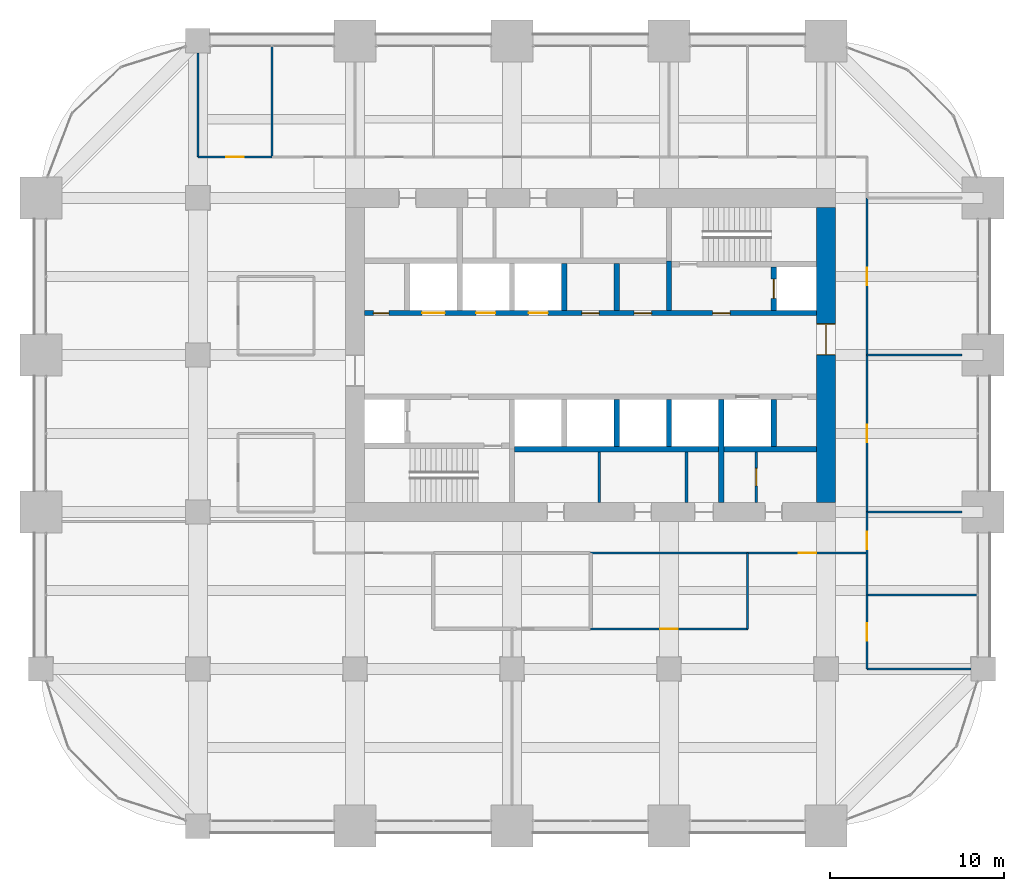
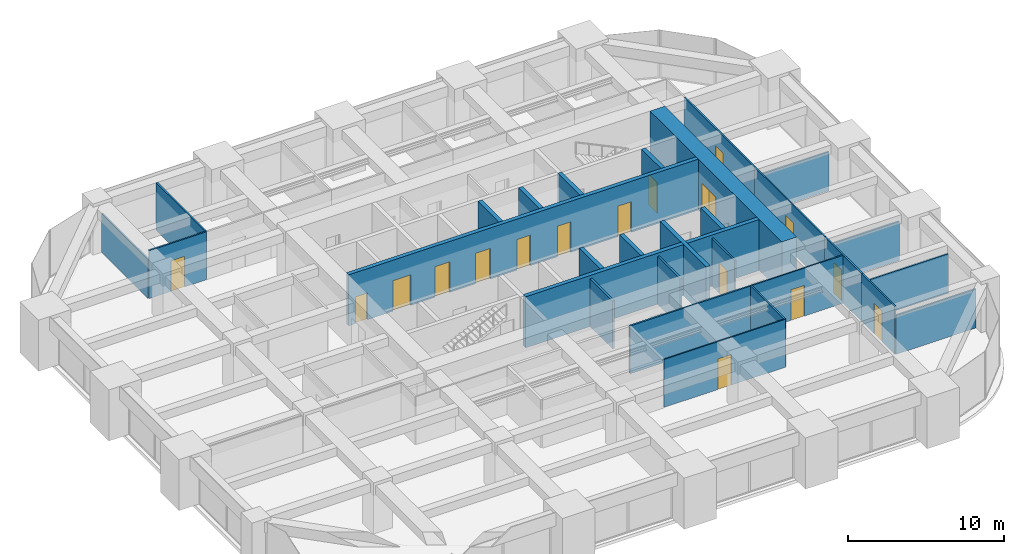
# One storey, part 30 of 32: 29 walls, 17 doors, 17 openings.
"""IFC4 building model written with IfcOpenShell, lengths in metres."""

import ifcopenshell
import ifcopenshell.guid

model = None  # the IFC model being written
_history = None  # IfcOwnerHistory: only IFC2X3 demands one
_inside = {}  # id of a spatial element -> (the spatial element, [elements in it])
_under = {}  # id of a project, library or spatial element -> (it, [spatial elements below it])
_declared = {}  # id of a project -> (the project, [libraries it declares])
_typed = {}  # id of a type object -> (the type object, [elements of that type])
_made_of = {}  # id of a material, layer set ... -> (it, [elements and type objects made of it])


def new_model(schema):
    """Start an empty IFC model of exactly this schema.

    Asked for "IFC4X3", IfcOpenShell would pick the latest addendum, in which some entities
    have other attributes; the version numbers below select the first issue.
    IFC2X3 requires an IfcOwnerHistory on every rooted entity: one is made here for all.
    """
    global model, _history
    if schema == "IFC4X3":
        model = ifcopenshell.file(schema_version=(4, 3, 0, 0))
    else:
        model = ifcopenshell.file(schema=schema)
    _inside.clear()
    _under.clear()
    _declared.clear()
    _typed.clear()
    _made_of.clear()
    _history = None
    if model.schema == "IFC2X3":
        org = make("IfcOrganization", Name="unknown")
        user = make(
            "IfcPersonAndOrganization",
            ThePerson=make("IfcPerson", FamilyName="unknown"),
            TheOrganization=org,
        )
        app = make(
            "IfcApplication",
            ApplicationDeveloper=org,
            Version="unknown",
            ApplicationFullName="unknown",
            ApplicationIdentifier="unknown",
        )
        _history = make(
            "IfcOwnerHistory",
            OwningUser=user,
            OwningApplication=app,
            ChangeAction="ADDED",
            CreationDate=0,
        )
    return model


def make(cls, **values):
    """One entity of the class cls with the attributes given. An attribute that is None is left unset."""
    return model.create_entity(
        cls, **{name: value for name, value in values.items() if value is not None}
    )


def rooted(cls, **values):
    """An entity with a GlobalId (a new one), such as an element, a storey or a relation."""
    return make(cls, GlobalId=ifcopenshell.guid.new(), OwnerHistory=_history, **values)


def si_unit(unit_type, name, prefix=None):
    """IfcSIUnit, for example si_unit("LENGTHUNIT", "METRE", prefix="MILLI")."""
    return make("IfcSIUnit", UnitType=unit_type, Prefix=prefix, Name=name)


def assignment(units):
    """IfcUnitAssignment: the units of a project."""
    return None if units is None else make("IfcUnitAssignment", Units=units)


def point(xyz):
    """IfcCartesianPoint."""
    return None if xyz is None else make("IfcCartesianPoint", Coordinates=xyz)


def direction(xyz):
    """IfcDirection."""
    return None if xyz is None else make("IfcDirection", DirectionRatios=xyz)


def frame(location, z_axis=None, x_axis=None):
    """IfcAxis2Placement3D, a coordinate frame: its origin and axes. An axis left out is left unset."""
    return make(
        "IfcAxis2Placement3D",
        Location=point(location),
        Axis=direction(z_axis),
        RefDirection=direction(x_axis),
    )


def frame_2d(location, x_axis=None):
    """IfcAxis2Placement2D, a coordinate frame in the plane: its origin and x axis."""
    return make(
        "IfcAxis2Placement2D", Location=point(location), RefDirection=direction(x_axis)
    )


def origin():
    """The frame at (0, 0, 0) with its axes left unset."""
    return frame((0.0, 0.0, 0.0))


def place(relative_to, where):
    """IfcLocalPlacement: puts the frame where relative to a parent placement (None: the world)."""
    return make(
        "IfcLocalPlacement", PlacementRelTo=relative_to, RelativePlacement=where
    )


def context(
    kind, dimensions, precision=None, world=None, true_north=None, identifier=None
):
    """IfcGeometricRepresentationContext, for example the 3D "Model" context."""
    return make(
        "IfcGeometricRepresentationContext",
        ContextIdentifier=identifier,
        ContextType=kind,
        CoordinateSpaceDimension=dimensions,
        Precision=precision,
        WorldCoordinateSystem=world,
        TrueNorth=true_north,
    )


def subcontext(parent, identifier, kind, view, scale=None):
    """IfcGeometricRepresentationSubContext, for example "Body" below "Model"."""
    return make(
        "IfcGeometricRepresentationSubContext",
        ContextIdentifier=identifier,
        ContextType=kind,
        ParentContext=parent,
        TargetScale=scale,
        TargetView=view,
    )


def project(units=None, contexts=None):
    """IfcProject with its units and contexts."""
    return rooted(
        "IfcProject",
        Name="project",
        RepresentationContexts=contexts,
        UnitsInContext=assignment(units),
    )


def spatial(cls, under=None, at=None, **own):
    """A site, building, storey or space (cls), placed at a placement, below another one or the project."""
    s = rooted(cls, ObjectPlacement=at, **own)
    if under is not None:
        _under.setdefault(under.id(), (under, []))[1].append(s)
    return s


def profile(cls, at=None, kind="AREA", **sizes):
    """A parametric profile (cls). Its sizes go by their IFC names, for example OverallWidth=200.0."""
    return make(cls, ProfileType=kind, Position=at, **sizes)


def rectangle(**sizes):
    """IfcRectangleProfileDef."""
    return profile("IfcRectangleProfileDef", **sizes)


def extrude(swept, where, along, depth):
    """IfcExtrudedAreaSolid: the profile swept, set in the frame where, extruded along a direction by depth."""
    return make(
        "IfcExtrudedAreaSolid",
        SweptArea=swept,
        Position=where,
        ExtrudedDirection=direction(along),
        Depth=depth,
    )


def shape(context_of_items, identifier, shape_type, items):
    """IfcShapeRepresentation: the items that make up one representation, for example the "Body"."""
    return make(
        "IfcShapeRepresentation",
        ContextOfItems=context_of_items,
        RepresentationIdentifier=identifier,
        RepresentationType=shape_type,
        Items=items,
    )


def material(Name=None, Category=None):
    """IfcMaterial."""
    return make("IfcMaterial", Name=Name, Category=Category)


def layer(
    of_material, thickness, ventilated=None, Name=None, Category=None, Priority=None
):
    """IfcMaterialLayer: one layer of a wall or slab, of a material (None: an air gap)."""
    return make(
        "IfcMaterialLayer",
        Material=of_material,
        LayerThickness=thickness,
        IsVentilated=ventilated,
        Name=Name,
        Category=Category,
        Priority=Priority,
    )


def layer_set(layers, Name=None):
    """IfcMaterialLayerSet."""
    return make("IfcMaterialLayerSet", MaterialLayers=layers, LayerSetName=Name)


def made_of(thing, what):
    """Note that an element or type object is made of a material, layer set ...; save() writes the relation."""
    if what is not None:
        _made_of.setdefault(what.id(), (what, []))[1].append(thing)
    return thing


def type_object(cls, material=None, **own):
    """A type object (cls), such as IfcWallType, which elements share."""
    return made_of(rooted(cls, **own), material)


def element(
    cls,
    number,
    at=None,
    inside=None,
    cuts=None,
    type_object=None,
    material=None,
    context=None,
    identifier="Body",
    shape_type=None,
    held_by="IfcProductDefinitionShape",
    body=None,
    shapes=None,
    **own,
):
    """One element of the class cls, such as IfcWall. Its Tag is "e" and its number.

    at: its placement. inside: the storey or other place that contains it. cuts: it is an
    opening in that element (IfcRelVoidsElement). A single representation is given by context,
    identifier, shape_type and body (its items); several are given by shapes. held_by: the class
    of the entity that holds the representations. save() writes the other relations.
    """
    e = rooted(cls, Tag="e%d" % number, ObjectPlacement=at, **own)
    if body is not None:
        shapes = [shape(context, identifier, shape_type, body)]
    if shapes is not None:
        e.Representation = make(held_by, Representations=shapes)
    if inside is not None:
        _inside.setdefault(inside.id(), (inside, []))[1].append(e)
    if cuts is not None:
        rooted(
            "IfcRelVoidsElement", RelatingBuildingElement=cuts, RelatedOpeningElement=e
        )
    if type_object is not None:
        _typed.setdefault(type_object.id(), (type_object, []))[1].append(e)
    return made_of(e, material)


def fill(opening, filler):
    """IfcRelFillsElement: the door or window that sits in an opening."""
    return rooted(
        "IfcRelFillsElement",
        RelatingOpeningElement=opening,
        RelatedBuildingElement=filler,
    )


def aggregate(whole, parts):
    """IfcRelAggregates: a whole, such as a stair, and the parts it consists of."""
    return rooted("IfcRelAggregates", RelatingObject=whole, RelatedObjects=parts)


def save(model, path):
    """Write the relations noted so far, then the file.

    IfcRelAggregates (storeys below a building ...), IfcRelContainedInSpatialStructure (elements
    in a storey), IfcRelDefinesByType, IfcRelAssociatesMaterial and IfcRelDeclares: one each for
    every whole, place, type object, material and project.
    """
    for whole, parts in _under.values():
        aggregate(whole, parts)
    for where, things in _inside.values():
        rooted(
            "IfcRelContainedInSpatialStructure",
            RelatedElements=things,
            RelatingStructure=where,
        )
    for kind, things in _typed.values():
        rooted("IfcRelDefinesByType", RelatedObjects=things, RelatingType=kind)
    for what, things in _made_of.values():
        rooted("IfcRelAssociatesMaterial", RelatedObjects=things, RelatingMaterial=what)
    for by, libraries in _declared.values():
        rooted("IfcRelDeclares", RelatingContext=by, RelatedDefinitions=libraries)
    model.write(path)


model = new_model("IFC4")

# Units and contexts
model_context = context("Model", 3, precision=1e-05, world=origin(), true_north=direction((0.0, 1.0)))
body_context = subcontext(model_context, "Body", "Model", "MODEL_VIEW")
ifc_project = project(units=[si_unit("LENGTHUNIT", "METRE"), si_unit("AREAUNIT", "SQUARE_METRE"), si_unit("VOLUMEUNIT", "CUBIC_METRE"), si_unit("PLANEANGLEUNIT", "RADIAN"), si_unit("MASSUNIT", "GRAM", prefix="KILO")], contexts=[model_context])

# Site, building, storey
site_placement = place(None, origin())
site = spatial("IfcSite", under=ifc_project, at=site_placement, CompositionType="ELEMENT")
building_placement = place(site_placement, origin())
building = spatial("IfcBuilding", under=site, at=building_placement, Name="Zorevar Civic Tower", CompositionType="ELEMENT")
storey_placement = place(building_placement, frame((0.0, 0.0, 202.199951171875)))
storey = spatial("IfcBuildingStorey", under=building, at=storey_placement, Name="L49", CompositionType="ELEMENT", Elevation=202.199951171875)

# Wall, opening, door
ifc_material_1 = material(Name="Concrete C50/60", Category="concrete")
ifc_layer_1 = layer(ifc_material_1, 1.10009765625)
ifc_layer_set_1 = layer_set([ifc_layer_1], Name="Core wall 1100")
wall_type_1 = type_object("IfcWallType", Name="Core wall 1100", PredefinedType="SHEAR", material=ifc_layer_set_1)
wall_1_placement = place(storey_placement, frame((45.0, 18.550048828125, 0.0), z_axis=(0.0, 0.0, 1.0), x_axis=(0.0, 1.0, 0.0)))
wall_1 = element("IfcWall", 1, at=wall_1_placement, inside=storey, type_object=wall_type_1, Name="Core wall E L49", PredefinedType="SHEAR", context=body_context, shape_type="SweptSolid", body=[
    extrude(rectangle(XDim=16.89990234375, YDim=1.10009765625, at=frame_2d((8.449951171875, 0.0))), origin(), (0.0, 0.0, 1.0), 4.0),
])
opening_1_placement = place(wall_1_placement, frame((8.449951171875, 0.0, 0.0)))
opening_1 = element("IfcOpeningElement", 2, at=opening_1_placement, cuts=wall_1, Name="Opening L49.02", PredefinedType="OPENING", context=body_context, shape_type="SweptSolid", body=[
    extrude(rectangle(XDim=1.800048828125, YDim=2.39990234375, at=frame_2d((0.89990234375, 1.199951171875))), frame((0.0, 0.56005859375, 0.0), z_axis=(0.0, -1.0, 0.0), x_axis=(1.0, 0.0, 0.0)), (0.0, 0.0, 1.0), 1.1201171875),
])
ifc_material_2 = material(Name="Steel door set", Category="steel")
door_type_1 = type_object("IfcDoorType", Name="Fire door FD2 1800x2400", OperationType="DOUBLE_DOOR_DOUBLE_SWING", PredefinedType="DOOR", material=ifc_material_2)
door_1_placement = place(opening_1_placement, origin())
door_1 = element("IfcDoor", 3, at=door_1_placement, inside=storey, type_object=door_type_1, Name="Door L49 01", OperationType="DOUBLE_DOOR_DOUBLE_SWING", OverallHeight=2.39990234375, OverallWidth=1.800048828125, PredefinedType="DOOR", context=body_context, shape_type="SweptSolid", body=[
    extrude(rectangle(XDim=1.800048828125, YDim=2.39990234375, at=frame_2d((0.89990234375, 1.199951171875))), frame((0.0, 0.030029296875, 0.0), z_axis=(0.0, -1.0, 0.0), x_axis=(1.0, 0.0, 0.0)), (0.0, 0.0, 1.0), 0.06005859375),
    extrude(rectangle(XDim=0.04, YDim=2.39990234375, at=frame_2d((0.02001953125, 1.199951171875))), frame((0.0, 0.5498046875, 0.0), z_axis=(0.0, -1.0, 0.0), x_axis=(1.0, 0.0, 0.0)), (0.0, 0.0, 1.0), 1.099609375),
    extrude(rectangle(XDim=0.04, YDim=2.39990234375, at=frame_2d((1.780029296875, 1.199951171875))), frame((0.0, 0.5498046875, 0.0), z_axis=(0.0, -1.0, 0.0), x_axis=(1.0, 0.0, 0.0)), (0.0, 0.0, 1.0), 1.099609375),
    extrude(rectangle(XDim=1.800048828125, YDim=0.04, at=frame_2d((0.89990234375, 2.3798828125))), frame((0.0, 0.5498046875, 0.0), z_axis=(0.0, -1.0, 0.0), x_axis=(1.0, 0.0, 0.0)), (0.0, 0.0, 1.0), 1.099609375),
])
fill(opening_1, door_1)

ifc_material_3 = material(Name="Laminated glass in black aluminium frame", Category="aluminium")
ifc_layer_2 = layer(ifc_material_3, 0.10009765625)
ifc_layer_set_2 = layer_set([ifc_layer_2], Name="Glazed partition 100")
wall_type_2 = type_object("IfcWallType", Name="Glazed partition 100", PredefinedType="PARTITIONING", material=ifc_layer_set_2)
wall_2_placement = place(storey_placement, frame((31.5, 11.300048828125, 0.0), z_axis=(0.0, 0.0, 1.0), x_axis=(1.0, 0.0, 0.0)))
wall_2 = element("IfcWall", 4, at=wall_2_placement, inside=storey, type_object=wall_type_2, Name="Glazed partition 100 L49", PredefinedType="PARTITIONING", context=body_context, shape_type="SweptSolid", body=[
    extrude(rectangle(XDim=9.0, YDim=0.10009765625, at=frame_2d((4.5, 0.0))), origin(), (0.0, 0.0, 1.0), 3.75),
])
opening_2_placement = place(wall_2_placement, frame((4.0, 0.0, 0.0)))
opening_2 = element("IfcOpeningElement", 5, at=opening_2_placement, cuts=wall_2, Name="Opening L49.18", PredefinedType="OPENING", context=body_context, shape_type="SweptSolid", body=[
    extrude(rectangle(XDim=1.0, YDim=2.39990234375, at=frame_2d((0.5, 1.199951171875))), frame((0.0, 0.06005859375, 0.0), z_axis=(0.0, -1.0, 0.0), x_axis=(1.0, 0.0, 0.0)), (0.0, 0.0, 1.0), 0.1201171875),
])
ifc_material_4 = material(Name="Timber door set", Category="wood")
door_type_2 = type_object("IfcDoorType", Name="Glazed door GD1 1000x2400", OperationType="SINGLE_SWING_LEFT", PredefinedType="DOOR", material=ifc_material_4)
door_2_placement = place(opening_2_placement, origin())
door_2 = element("IfcDoor", 6, at=door_2_placement, inside=storey, type_object=door_type_2, Name="Door L49 D1", OperationType="SINGLE_SWING_LEFT", OverallHeight=2.39990234375, OverallWidth=1.0, PredefinedType="DOOR", context=body_context, shape_type="SweptSolid", body=[
    extrude(rectangle(XDim=1.0, YDim=2.39990234375, at=frame_2d((0.5, 1.199951171875))), frame((0.0, 0.02001953125, 0.0), z_axis=(0.0, -1.0, 0.0), x_axis=(1.0, 0.0, 0.0)), (0.0, 0.0, 1.0), 0.0400390625),
])
fill(opening_2, door_2)

wall_3_placement = place(storey_placement, frame((40.5, 15.64990234375, 0.0), z_axis=(0.0, 0.0, 1.0), x_axis=(1.0, 0.0, 0.0)))
wall_3 = element("IfcWall", 7, at=wall_3_placement, inside=storey, type_object=wall_type_2, Name="Glazed partition 100 L49", PredefinedType="PARTITIONING", context=body_context, shape_type="SweptSolid", body=[
    extrude(rectangle(XDim=6.85009765625, YDim=0.10009765625, at=frame_2d((3.425048828125, 0.0))), origin(), (0.0, 0.0, 1.0), 3.75),
])
opening_3_placement = place(wall_3_placement, frame((2.925048828125, 0.0, 0.0)))
opening_3 = element("IfcOpeningElement", 8, at=opening_3_placement, cuts=wall_3, Name="Opening L49.20", PredefinedType="OPENING", context=body_context, shape_type="SweptSolid", body=[
    extrude(rectangle(XDim=1.0, YDim=2.39990234375, at=frame_2d((0.5, 1.199951171875))), frame((0.0, 0.06005859375, 0.0), z_axis=(0.0, -1.0, 0.0), x_axis=(1.0, 0.0, 0.0)), (0.0, 0.0, 1.0), 0.1201171875),
])
door_3_placement = place(opening_3_placement, origin())
door_3 = element("IfcDoor", 9, at=door_3_placement, inside=storey, type_object=door_type_2, Name="Door L49 D1", OperationType="SINGLE_SWING_RIGHT", OverallHeight=2.39990234375, OverallWidth=1.0, PredefinedType="DOOR", context=body_context, shape_type="SweptSolid", body=[
    extrude(rectangle(XDim=1.0, YDim=2.39990234375, at=frame_2d((0.5, 1.199951171875))), frame((0.0, 0.02001953125, 0.0), z_axis=(0.0, -1.0, 0.0), x_axis=(1.0, 0.0, 0.0)), (0.0, 0.0, 1.0), 0.0400390625),
])
fill(opening_3, door_3)

wall_4_placement = place(storey_placement, frame((47.35009765625, 18.0, 0.0), z_axis=(0.0, 0.0, 1.0), x_axis=(0.0, 1.0, 0.0)))
wall_4 = element("IfcWall", 10, at=wall_4_placement, inside=storey, type_object=wall_type_2, Name="Glazed partition 100 L49", PredefinedType="PARTITIONING", context=body_context, shape_type="SweptSolid", body=[
    extrude(rectangle(XDim=9.0, YDim=0.10009765625, at=frame_2d((4.5, 0.0))), origin(), (0.0, 0.0, 1.0), 3.75),
])
opening_4_placement = place(wall_4_placement, frame((4.0, 0.0, 0.0)))
opening_4 = element("IfcOpeningElement", 11, at=opening_4_placement, cuts=wall_4, Name="Opening L49.34", PredefinedType="OPENING", context=body_context, shape_type="SweptSolid", body=[
    extrude(rectangle(XDim=1.0, YDim=2.39990234375, at=frame_2d((0.5, 1.199951171875))), frame((0.0, 0.06005859375, 0.0), z_axis=(0.0, -1.0, 0.0), x_axis=(1.0, 0.0, 0.0)), (0.0, 0.0, 1.0), 0.1201171875),
])
door_4_placement = place(opening_4_placement, origin())
door_4 = element("IfcDoor", 12, at=door_4_placement, inside=storey, type_object=door_type_2, Name="Door L49 D1", OperationType="SINGLE_SWING_LEFT", OverallHeight=2.39990234375, OverallWidth=1.0, PredefinedType="DOOR", context=body_context, shape_type="SweptSolid", body=[
    extrude(rectangle(XDim=1.0, YDim=2.39990234375, at=frame_2d((0.5, 1.199951171875))), frame((0.0, 0.02001953125, 0.0), z_axis=(0.0, -1.0, 0.0), x_axis=(1.0, 0.0, 0.0)), (0.0, 0.0, 1.0), 0.0400390625),
])
fill(opening_4, door_4)

ifc_material_5 = material(Name="Concrete C40/50", Category="concrete")
ifc_layer_3 = layer(ifc_material_5, 0.300048828125)
ifc_layer_set_3 = layer_set([ifc_layer_3], Name="Inner core wall 300")
wall_type_3 = type_object("IfcWallType", Name="Inner core wall 300", PredefinedType="SHEAR", material=ifc_layer_set_3)
wall_5_placement = place(storey_placement, frame((42.0, 29.550048828125, 0.0), z_axis=(0.0, 0.0, 1.0), x_axis=(0.0, 1.0, 0.0)))
wall_5 = element("IfcWall", 13, at=wall_5_placement, inside=storey, type_object=wall_type_3, Name="Inner core wall N02 L49", PredefinedType="SHEAR", context=body_context, shape_type="SweptSolid", body=[
    extrude(rectangle(XDim=2.5, YDim=0.300048828125, at=frame_2d((1.25, 0.0))), origin(), (0.0, 0.0, 1.0), 4.0),
])
opening_5_placement = place(wall_5_placement, frame((0.699951171875, 0.0, 0.0)))
opening_5 = element("IfcOpeningElement", 14, at=opening_5_placement, cuts=wall_5, Name="Opening L49.FL2", PredefinedType="OPENING", context=body_context, shape_type="SweptSolid", body=[
    extrude(rectangle(XDim=1.10009765625, YDim=2.39990234375, at=frame_2d((0.550048828125, 1.199951171875))), frame((0.0, 0.159912109375, 0.0), z_axis=(0.0, -1.0, 0.0), x_axis=(1.0, 0.0, 0.0)), (0.0, 0.0, 1.0), 0.320068359375),
])
ifc_material_6 = material(Name="Steel door set", Category="steel")
door_type_3 = type_object("IfcDoorType", Name="Firefighting lift landing door LD3 1100x2400", OperationType="DOUBLE_DOOR_SLIDING", PredefinedType="DOOR", material=ifc_material_6)
door_5_placement = place(opening_5_placement, origin())
door_5 = element("IfcDoor", 15, at=door_5_placement, inside=storey, type_object=door_type_3, Name="Landing door FL2 L49", OperationType="DOUBLE_DOOR_SLIDING", OverallHeight=2.39990234375, OverallWidth=1.10009765625, PredefinedType="DOOR", context=body_context, shape_type="SweptSolid", body=[
    extrude(rectangle(XDim=1.10009765625, YDim=2.39990234375, at=frame_2d((0.550048828125, 1.199951171875))), frame((0.0, 0.030029296875, 0.0), z_axis=(0.0, -1.0, 0.0), x_axis=(1.0, 0.0, 0.0)), (0.0, 0.0, 1.0), 0.06005859375),
])
fill(opening_5, door_5)

# Wall, openings, doors
wall_6_placement = place(storey_placement, frame((18.550048828125, 29.39990234375, 0.0), z_axis=(0.0, 0.0, 1.0), x_axis=(1.0, 0.0, 0.0)))
wall_6 = element("IfcWall", 16, at=wall_6_placement, inside=storey, type_object=wall_type_3, Name="Inner core wall N03 L49", PredefinedType="SHEAR", context=body_context, shape_type="SweptSolid", body=[
    extrude(rectangle(XDim=25.89990234375, YDim=0.300048828125, at=frame_2d((12.949951171875, 0.0))), origin(), (0.0, 0.0, 1.0), 4.0),
])
opening_6_placement = place(wall_6_placement, frame((19.949951171875, 0.0, 0.0)))
opening_6 = element("IfcOpeningElement", 17, at=opening_6_placement, cuts=wall_6, Name="Opening L49.14", PredefinedType="OPENING", context=body_context, shape_type="SweptSolid", body=[
    extrude(rectangle(XDim=1.0, YDim=2.39990234375, at=frame_2d((0.5, 1.199951171875))), frame((0.0, 0.159912109375, 0.0), z_axis=(0.0, -1.0, 0.0), x_axis=(1.0, 0.0, 0.0)), (0.0, 0.0, 1.0), 0.320068359375),
])
opening_7_placement = place(wall_6_placement, frame((0.5, 0.0, 0.0)))
opening_7 = element("IfcOpeningElement", 18, at=opening_7_placement, cuts=wall_6, Name="Opening L49.16", PredefinedType="OPENING", context=body_context, shape_type="SweptSolid", body=[
    extrude(rectangle(XDim=0.89990234375, YDim=2.10009765625, at=frame_2d((0.449951171875, 1.050048828125))), frame((0.0, 0.159912109375, 0.0), z_axis=(0.0, -1.0, 0.0), x_axis=(1.0, 0.0, 0.0)), (0.0, 0.0, 1.0), 0.320068359375),
])
opening_8_placement = place(wall_6_placement, frame((15.449951171875, 0.0, 0.0)))
opening_8 = element("IfcOpeningElement", 19, at=opening_8_placement, cuts=wall_6, Name="Opening L49.36", PredefinedType="OPENING", context=body_context, shape_type="SweptSolid", body=[
    extrude(rectangle(XDim=1.0, YDim=2.39990234375, at=frame_2d((0.5, 1.199951171875))), frame((0.0, 0.159912109375, 0.0), z_axis=(0.0, -1.0, 0.0), x_axis=(1.0, 0.0, 0.0)), (0.0, 0.0, 1.0), 0.320068359375),
])
opening_9_placement = place(wall_6_placement, frame((12.449951171875, 0.0, 0.0)))
opening_9 = element("IfcOpeningElement", 20, at=opening_9_placement, cuts=wall_6, Name="Opening L49.37", PredefinedType="OPENING", context=body_context, shape_type="SweptSolid", body=[
    extrude(rectangle(XDim=1.0, YDim=2.39990234375, at=frame_2d((0.5, 1.199951171875))), frame((0.0, 0.159912109375, 0.0), z_axis=(0.0, -1.0, 0.0), x_axis=(1.0, 0.0, 0.0)), (0.0, 0.0, 1.0), 0.320068359375),
])
opening_10_placement = place(wall_6_placement, frame((9.39990234375, 0.0, 0.0)))
opening_10 = element("IfcOpeningElement", 21, at=opening_10_placement, cuts=wall_6, Name="Opening L49.LH1", PredefinedType="OPENING", context=body_context, shape_type="SweptSolid", body=[
    extrude(rectangle(XDim=1.10009765625, YDim=2.39990234375, at=frame_2d((0.550048828125, 1.199951171875))), frame((0.0, 0.159912109375, 0.0), z_axis=(0.0, -1.0, 0.0), x_axis=(1.0, 0.0, 0.0)), (0.0, 0.0, 1.0), 0.320068359375),
])
opening_11_placement = place(wall_6_placement, frame((6.39990234375, 0.0, 0.0)))
opening_11 = element("IfcOpeningElement", 22, at=opening_11_placement, cuts=wall_6, Name="Opening L49.LH2", PredefinedType="OPENING", context=body_context, shape_type="SweptSolid", body=[
    extrude(rectangle(XDim=1.10009765625, YDim=2.39990234375, at=frame_2d((0.550048828125, 1.199951171875))), frame((0.0, 0.159912109375, 0.0), z_axis=(0.0, -1.0, 0.0), x_axis=(1.0, 0.0, 0.0)), (0.0, 0.0, 1.0), 0.320068359375),
])
opening_12_placement = place(wall_6_placement, frame((3.300048828125, 0.0, 0.0)))
opening_12 = element("IfcOpeningElement", 23, at=opening_12_placement, cuts=wall_6, Name="Opening L49.SL2", PredefinedType="OPENING", context=body_context, shape_type="SweptSolid", body=[
    extrude(rectangle(XDim=1.300048828125, YDim=2.39990234375, at=frame_2d((0.64990234375, 1.199951171875))), frame((0.0, 0.159912109375, 0.0), z_axis=(0.0, -1.0, 0.0), x_axis=(1.0, 0.0, 0.0)), (0.0, 0.0, 1.0), 0.320068359375),
])
ifc_material_7 = material(Name="Steel door set", Category="steel")
door_type_4 = type_object("IfcDoorType", Name="Fire door FD1 1000x2400", OperationType="SINGLE_SWING_LEFT", PredefinedType="DOOR", material=ifc_material_7)
door_6_placement = place(opening_6_placement, origin())
door_6 = element("IfcDoor", 24, at=door_6_placement, inside=storey, type_object=door_type_4, Name="Door L49 13", OperationType="SINGLE_SWING_RIGHT", OverallHeight=2.39990234375, OverallWidth=1.0, PredefinedType="DOOR", context=body_context, shape_type="SweptSolid", body=[
    extrude(rectangle(XDim=1.0, YDim=2.39990234375, at=frame_2d((0.5, 1.199951171875))), frame((0.0, 0.030029296875, 0.0), z_axis=(0.0, -1.0, 0.0), x_axis=(1.0, 0.0, 0.0)), (0.0, 0.0, 1.0), 0.06005859375),
])
fill(opening_6, door_6)
door_7_placement = place(opening_8_placement, origin())
door_7 = element("IfcDoor", 25, at=door_7_placement, inside=storey, type_object=door_type_4, Name="Door L49 LM1 shaft room", OperationType="SINGLE_SWING_LEFT", OverallHeight=2.39990234375, OverallWidth=1.0, PredefinedType="DOOR", context=body_context, shape_type="SweptSolid", body=[
    extrude(rectangle(XDim=1.0, YDim=2.39990234375, at=frame_2d((0.5, 1.199951171875))), frame((0.0, 0.030029296875, 0.0), z_axis=(0.0, -1.0, 0.0), x_axis=(1.0, 0.0, 0.0)), (0.0, 0.0, 1.0), 0.06005859375),
])
fill(opening_8, door_7)
door_8_placement = place(opening_9_placement, origin())
door_8 = element("IfcDoor", 26, at=door_8_placement, inside=storey, type_object=door_type_4, Name="Door L49 LM2 shaft room", OperationType="SINGLE_SWING_RIGHT", OverallHeight=2.39990234375, OverallWidth=1.0, PredefinedType="DOOR", context=body_context, shape_type="SweptSolid", body=[
    extrude(rectangle(XDim=1.0, YDim=2.39990234375, at=frame_2d((0.5, 1.199951171875))), frame((0.0, 0.030029296875, 0.0), z_axis=(0.0, -1.0, 0.0), x_axis=(1.0, 0.0, 0.0)), (0.0, 0.0, 1.0), 0.06005859375),
])
fill(opening_9, door_8)
ifc_material_8 = material(Name="Steel door set", Category="steel")
door_type_5 = type_object("IfcDoorType", Name="Landing door LD1 1100x2400", OperationType="DOUBLE_DOOR_SLIDING", PredefinedType="DOOR", material=ifc_material_8)
door_9_placement = place(opening_10_placement, origin())
door_9 = element("IfcDoor", 27, at=door_9_placement, inside=storey, type_object=door_type_5, Name="Landing door LH1 L49", OperationType="DOUBLE_DOOR_SLIDING", OverallHeight=2.39990234375, OverallWidth=1.10009765625, PredefinedType="DOOR", context=body_context, shape_type="SweptSolid", body=[
    extrude(rectangle(XDim=1.10009765625, YDim=2.39990234375, at=frame_2d((0.550048828125, 1.199951171875))), frame((0.0, 0.02001953125, 0.0), z_axis=(0.0, -1.0, 0.0), x_axis=(1.0, 0.0, 0.0)), (0.0, 0.0, 1.0), 0.0400390625),
])
fill(opening_10, door_9)
door_10_placement = place(opening_11_placement, origin())
door_10 = element("IfcDoor", 28, at=door_10_placement, inside=storey, type_object=door_type_5, Name="Landing door LH2 L49", OperationType="DOUBLE_DOOR_SLIDING", OverallHeight=2.39990234375, OverallWidth=1.10009765625, PredefinedType="DOOR", context=body_context, shape_type="SweptSolid", body=[
    extrude(rectangle(XDim=1.10009765625, YDim=2.39990234375, at=frame_2d((0.550048828125, 1.199951171875))), frame((0.0, 0.02001953125, 0.0), z_axis=(0.0, -1.0, 0.0), x_axis=(1.0, 0.0, 0.0)), (0.0, 0.0, 1.0), 0.0400390625),
])
fill(opening_11, door_10)
ifc_material_9 = material(Name="Steel door set", Category="steel")
door_type_6 = type_object("IfcDoorType", Name="Landing door LD2 1300x2400", OperationType="DOUBLE_DOOR_SLIDING", PredefinedType="DOOR", material=ifc_material_9)
door_11_placement = place(opening_12_placement, origin())
door_11 = element("IfcDoor", 29, at=door_11_placement, inside=storey, type_object=door_type_6, Name="Landing door SL2 L49", OperationType="DOUBLE_DOOR_SLIDING", OverallHeight=2.39990234375, OverallWidth=1.300048828125, PredefinedType="DOOR", context=body_context, shape_type="SweptSolid", body=[
    extrude(rectangle(XDim=1.300048828125, YDim=2.39990234375, at=frame_2d((0.64990234375, 1.199951171875))), frame((0.0, 0.02001953125, 0.0), z_axis=(0.0, -1.0, 0.0), x_axis=(1.0, 0.0, 0.0)), (0.0, 0.0, 1.0), 0.0400390625),
])
fill(opening_12, door_11)
ifc_material_10 = material(Name="Steel door set", Category="steel")
door_type_7 = type_object("IfcDoorType", Name="Riser door RD1 900x2100", OperationType="SINGLE_SWING_LEFT", PredefinedType="DOOR", material=ifc_material_10)
door_12_placement = place(opening_7_placement, origin())
door_12 = element("IfcDoor", 30, at=door_12_placement, inside=storey, type_object=door_type_7, Name="Door L49 15", OperationType="SINGLE_SWING_RIGHT", OverallHeight=2.10009765625, OverallWidth=0.89990234375, PredefinedType="DOOR", context=body_context, shape_type="SweptSolid", body=[
    extrude(rectangle(XDim=0.89990234375, YDim=2.10009765625, at=frame_2d((0.449951171875, 1.050048828125))), frame((0.0, 0.030029296875, 0.0), z_axis=(0.0, -1.0, 0.0), x_axis=(1.0, 0.0, 0.0)), (0.0, 0.0, 1.0), 0.06005859375),
])
fill(opening_7, door_12)

# Walls
wall_7_placement = place(storey_placement, frame((27.14990234375, 21.60009765625, 0.0), z_axis=(0.0, 0.0, 1.0), x_axis=(1.0, 0.0, 0.0)))
element("IfcWall", 31, at=wall_7_placement, inside=storey, type_object=wall_type_3, Name="Inner core wall S04 L49", PredefinedType="SHEAR", context=body_context, shape_type="SweptSolid", body=[
    extrude(rectangle(XDim=17.300048828125, YDim=0.300048828125, at=frame_2d((8.64990234375, 0.0))), origin(), (0.0, 0.0, 1.0), 4.0),
])
for number, where, z_axis, x_axis, name in (
    (32, (33.0, 29.550048828125, 0.0), (0.0, 0.0, 1.0), (0.0, 1.0, 0.0), "Inner core wall N05 L49"),
    (33, (33.0, 21.75, 0.0), (0.0, 0.0, 1.0), (0.0, 1.0, 0.0), "Inner core wall S06 L49"),
    (34, (30.0, 29.550048828125, 0.0), (0.0, 0.0, 1.0), (0.0, 1.0, 0.0), "Inner core wall N06 L49"),
    (35, (36.0, 21.75, 0.0), (0.0, 0.0, 1.0), (0.0, 1.0, 0.0), "Inner core wall S07 L49"),
):
    element("IfcWall", number, at=place(storey_placement, frame(where, z_axis=z_axis, x_axis=x_axis)), inside=storey, type_object=wall_type_3, Name=name, PredefinedType="SHEAR", context=body_context, shape_type="SweptSolid", body=[
        extrude(rectangle(XDim=2.699951171875, YDim=0.300048828125, at=frame_2d((1.35009765625, 0.0))), origin(), (0.0, 0.0, 1.0), 4.0),
    ])
wall_8_placement = place(storey_placement, frame((39.0, 18.550048828125, 0.0), z_axis=(0.0, 0.0, 1.0), x_axis=(0.0, 1.0, 0.0)))
element("IfcWall", 36, at=wall_8_placement, inside=storey, type_object=wall_type_3, Name="Inner core wall S08 L49", PredefinedType="SHEAR", context=body_context, shape_type="SweptSolid", body=[
    extrude(rectangle(XDim=5.89990234375, YDim=0.300048828125, at=frame_2d((2.949951171875, 0.0))), origin(), (0.0, 0.0, 1.0), 4.0),
])
wall_9_placement = place(storey_placement, frame((42.0, 21.75, 0.0), z_axis=(0.0, 0.0, 1.0), x_axis=(0.0, 1.0, 0.0)))
element("IfcWall", 37, at=wall_9_placement, inside=storey, type_object=wall_type_3, Name="Inner core wall S09 L49", PredefinedType="SHEAR", context=body_context, shape_type="SweptSolid", body=[
    extrude(rectangle(XDim=2.699951171875, YDim=0.300048828125, at=frame_2d((1.35009765625, 0.0))), origin(), (0.0, 0.0, 1.0), 4.0),
])
wall_10_placement = place(storey_placement, frame((36.0, 29.550048828125, 0.0), z_axis=(0.0, 0.0, 1.0), x_axis=(0.0, 1.0, 0.0)))
element("IfcWall", 38, at=wall_10_placement, inside=storey, type_object=wall_type_3, Name="Inner core wall N10 L49", PredefinedType="SHEAR", context=body_context, shape_type="SweptSolid", body=[
    extrude(rectangle(XDim=2.849853515625, YDim=0.300048828125, at=frame_2d((1.4248046875, 0.0))), origin(), (0.0, 0.0, 1.0), 4.0),
])
ifc_material_11 = material(Name="Gypsum board on steel studs", Category="steel")
ifc_layer_4 = layer(ifc_material_11, 0.1201171875)
ifc_layer_set_4 = layer_set([ifc_layer_4], Name="Partition 120")
wall_type_4 = type_object("IfcWallType", Name="Partition 120", PredefinedType="PARTITIONING", material=ifc_layer_set_4)
wall_11_placement = place(storey_placement, frame((47.35009765625, 9.0, 0.0), z_axis=(0.0, 0.0, 1.0), x_axis=(1.0, 0.0, 0.0)))
element("IfcWall", 39, at=wall_11_placement, inside=storey, type_object=wall_type_4, Name="Partition 120 L49", PredefinedType="PARTITIONING", context=body_context, shape_type="SweptSolid", body=[
    extrude(rectangle(XDim=5.949951171875, YDim=0.1201171875, at=frame_2d((2.97509765625, 0.0))), origin(), (0.0, 0.0, 1.0), 3.050048828125),
])
wall_12_placement = place(storey_placement, frame((47.35009765625, 13.25, 0.0), z_axis=(0.0, 0.0, 1.0), x_axis=(1.0, 0.0, 0.0)))
element("IfcWall", 40, at=wall_12_placement, inside=storey, type_object=wall_type_4, Name="Partition 120 L49", PredefinedType="PARTITIONING", context=body_context, shape_type="SweptSolid", body=[
    extrude(rectangle(XDim=6.33984375, YDim=0.1201171875, at=frame_2d((3.169921875, 0.0))), origin(), (0.0, 0.0, 1.0), 3.10009765625),
])
wall_13_placement = place(storey_placement, frame((31.5, 15.64990234375, 0.0), z_axis=(0.0, 0.0, 1.0), x_axis=(1.0, 0.0, 0.0)))
element("IfcWall", 41, at=wall_13_placement, inside=storey, type_object=wall_type_4, Name="Partition 120 L49", PredefinedType="PARTITIONING", context=body_context, shape_type="SweptSolid", body=[
    extrude(rectangle(XDim=9.0, YDim=0.1201171875, at=frame_2d((4.5, 0.0))), origin(), (0.0, 0.0, 1.0), 3.75),
])
for number, where, z_axis, x_axis, name in (
    (42, (47.35009765625, 18.0, 0.0), (0.0, 0.0, 1.0), (1.0, 0.0, 0.0), "Partition 120 L49"),
    (43, (47.35009765625, 27.0, 0.0), (0.0, 0.0, 1.0), (1.0, 0.0, 0.0), "Partition 120 L49"),
):
    element("IfcWall", number, at=place(storey_placement, frame(where, z_axis=z_axis, x_axis=x_axis)), inside=storey, type_object=wall_type_4, Name=name, PredefinedType="PARTITIONING", context=body_context, shape_type="SweptSolid", body=[
        extrude(rectangle(XDim=5.449951171875, YDim=0.1201171875, at=frame_2d((2.72509765625, 0.0))), origin(), (0.0, 0.0, 1.0), 3.050048828125),
    ])

# Wall, opening, door
wall_14_placement = place(storey_placement, frame((9.0, 38.35009765625, 0.0), z_axis=(0.0, 0.0, 1.0), x_axis=(1.0, 0.0, 0.0)))
wall_14 = element("IfcWall", 44, at=wall_14_placement, inside=storey, type_object=wall_type_4, Name="Partition 120 L49", PredefinedType="PARTITIONING", context=body_context, shape_type="SweptSolid", body=[
    extrude(rectangle(XDim=4.25, YDim=0.1201171875, at=frame_2d((2.125, 0.0))), origin(), (0.0, 0.0, 1.0), 3.75),
])
opening_13_placement = place(wall_14_placement, frame((1.625, 0.0, 0.0)))
opening_13 = element("IfcOpeningElement", 45, at=opening_13_placement, cuts=wall_14, Name="Opening L49.21", PredefinedType="OPENING", context=body_context, shape_type="SweptSolid", body=[
    extrude(rectangle(XDim=1.0, YDim=2.39990234375, at=frame_2d((0.5, 1.199951171875))), frame((0.0, 0.070068359375, 0.0), z_axis=(0.0, -1.0, 0.0), x_axis=(1.0, 0.0, 0.0)), (0.0, 0.0, 1.0), 0.14013671875),
])
ifc_material_12 = material(Name="Timber door set", Category="wood")
door_type_8 = type_object("IfcDoorType", Name="Door D1 1000x2400", OperationType="SINGLE_SWING_LEFT", PredefinedType="DOOR", material=ifc_material_12)
door_13_placement = place(opening_13_placement, origin())
door_13 = element("IfcDoor", 46, at=door_13_placement, inside=storey, type_object=door_type_8, Name="Door L49 D1", OperationType="SINGLE_SWING_RIGHT", OverallHeight=2.39990234375, OverallWidth=1.0, PredefinedType="DOOR", context=body_context, shape_type="SweptSolid", body=[
    extrude(rectangle(XDim=1.0, YDim=2.39990234375, at=frame_2d((0.5, 1.199951171875))), frame((0.0, 0.02490234375, 0.0), z_axis=(0.0, -1.0, 0.0), x_axis=(1.0, 0.0, 0.0)), (0.0, 0.0, 1.0), 0.050048828125),
])
fill(opening_13, door_13)

# Walls
wall_15_placement = place(storey_placement, frame((9.0, 38.35009765625, 0.0), z_axis=(0.0, 0.0, 1.0), x_axis=(0.0, 1.0, 0.0)))
element("IfcWall", 47, at=wall_15_placement, inside=storey, type_object=wall_type_4, Name="Partition 120 L49", PredefinedType="PARTITIONING", context=body_context, shape_type="SweptSolid", body=[
    extrude(rectangle(XDim=5.949951171875, YDim=0.1201171875, at=frame_2d((2.97509765625, 0.0))), origin(), (0.0, 0.0, 1.0), 3.050048828125),
])
wall_16_placement = place(storey_placement, frame((13.25, 38.35009765625, 0.0), z_axis=(0.0, 0.0, 1.0), x_axis=(0.0, 1.0, 0.0)))
element("IfcWall", 48, at=wall_16_placement, inside=storey, type_object=wall_type_4, Name="Partition 120 L49", PredefinedType="PARTITIONING", context=body_context, shape_type="SweptSolid", body=[
    extrude(rectangle(XDim=6.33984375, YDim=0.1201171875, at=frame_2d((3.169921875, 0.0))), origin(), (0.0, 0.0, 1.0), 3.75),
])
wall_17_placement = place(storey_placement, frame((40.5, 11.300048828125, 0.0), z_axis=(0.0, 0.0, 1.0), x_axis=(0.0, 1.0, 0.0)))
element("IfcWall", 49, at=wall_17_placement, inside=storey, type_object=wall_type_4, Name="Partition 120 L49", PredefinedType="PARTITIONING", context=body_context, shape_type="SweptSolid", body=[
    extrude(rectangle(XDim=4.349853515625, YDim=0.1201171875, at=frame_2d((2.1748046875, 0.0))), origin(), (0.0, 0.0, 1.0), 3.75),
])

# Wall, opening, door
wall_18_placement = place(storey_placement, frame((47.35009765625, 9.0, 0.0), z_axis=(0.0, 0.0, 1.0), x_axis=(0.0, 1.0, 0.0)))
wall_18 = element("IfcWall", 50, at=wall_18_placement, inside=storey, type_object=wall_type_4, Name="Partition 120 L49", PredefinedType="PARTITIONING", context=body_context, shape_type="SweptSolid", body=[
    extrude(rectangle(XDim=4.25, YDim=0.1201171875, at=frame_2d((2.125, 0.0))), origin(), (0.0, 0.0, 1.0), 3.75),
])
opening_14_placement = place(wall_18_placement, frame((1.625, 0.0, 0.0)))
opening_14 = element("IfcOpeningElement", 51, at=opening_14_placement, cuts=wall_18, Name="Opening L49.31", PredefinedType="OPENING", context=body_context, shape_type="SweptSolid", body=[
    extrude(rectangle(XDim=1.0, YDim=2.39990234375, at=frame_2d((0.5, 1.199951171875))), frame((0.0, 0.070068359375, 0.0), z_axis=(0.0, -1.0, 0.0), x_axis=(1.0, 0.0, 0.0)), (0.0, 0.0, 1.0), 0.14013671875),
])
door_14_placement = place(opening_14_placement, origin())
door_14 = element("IfcDoor", 52, at=door_14_placement, inside=storey, type_object=door_type_8, Name="Door L49 D1", OperationType="SINGLE_SWING_LEFT", OverallHeight=2.39990234375, OverallWidth=1.0, PredefinedType="DOOR", context=body_context, shape_type="SweptSolid", body=[
    extrude(rectangle(XDim=1.0, YDim=2.39990234375, at=frame_2d((0.5, 1.199951171875))), frame((0.0, 0.02490234375, 0.0), z_axis=(0.0, -1.0, 0.0), x_axis=(1.0, 0.0, 0.0)), (0.0, 0.0, 1.0), 0.050048828125),
])
fill(opening_14, door_14)

wall_19_placement = place(storey_placement, frame((47.35009765625, 13.25, 0.0), z_axis=(0.0, 0.0, 1.0), x_axis=(0.0, 1.0, 0.0)))
wall_19 = element("IfcWall", 53, at=wall_19_placement, inside=storey, type_object=wall_type_4, Name="Partition 120 L49", PredefinedType="PARTITIONING", context=body_context, shape_type="SweptSolid", body=[
    extrude(rectangle(XDim=4.75, YDim=0.1201171875, at=frame_2d((2.375, 0.0))), origin(), (0.0, 0.0, 1.0), 3.75),
])
opening_15_placement = place(wall_19_placement, frame((2.625, 0.0, 0.0)))
opening_15 = element("IfcOpeningElement", 54, at=opening_15_placement, cuts=wall_19, Name="Opening L49.32", PredefinedType="OPENING", context=body_context, shape_type="SweptSolid", body=[
    extrude(rectangle(XDim=1.0, YDim=2.39990234375, at=frame_2d((0.5, 1.199951171875))), frame((0.0, 0.070068359375, 0.0), z_axis=(0.0, -1.0, 0.0), x_axis=(1.0, 0.0, 0.0)), (0.0, 0.0, 1.0), 0.14013671875),
])
door_15_placement = place(opening_15_placement, origin())
door_15 = element("IfcDoor", 55, at=door_15_placement, inside=storey, type_object=door_type_8, Name="Door L49 D1", OperationType="SINGLE_SWING_RIGHT", OverallHeight=2.39990234375, OverallWidth=1.0, PredefinedType="DOOR", context=body_context, shape_type="SweptSolid", body=[
    extrude(rectangle(XDim=1.0, YDim=2.39990234375, at=frame_2d((0.5, 1.199951171875))), frame((0.0, 0.02490234375, 0.0), z_axis=(0.0, -1.0, 0.0), x_axis=(1.0, 0.0, 0.0)), (0.0, 0.0, 1.0), 0.050048828125),
])
fill(opening_15, door_15)

wall_20_placement = place(storey_placement, frame((47.35009765625, 27.0, 0.0), z_axis=(0.0, 0.0, 1.0), x_axis=(0.0, 1.0, 0.0)))
wall_20 = element("IfcWall", 56, at=wall_20_placement, inside=storey, type_object=wall_type_4, Name="Partition 120 L49", PredefinedType="PARTITIONING", context=body_context, shape_type="SweptSolid", body=[
    extrude(rectangle(XDim=9.0, YDim=0.1201171875, at=frame_2d((4.5, 0.0))), origin(), (0.0, 0.0, 1.0), 3.75),
])
opening_16_placement = place(wall_20_placement, frame((4.0, 0.0, 0.0)))
opening_16 = element("IfcOpeningElement", 57, at=opening_16_placement, cuts=wall_20, Name="Opening L49.33", PredefinedType="OPENING", context=body_context, shape_type="SweptSolid", body=[
    extrude(rectangle(XDim=1.0, YDim=2.39990234375, at=frame_2d((0.5, 1.199951171875))), frame((0.0, 0.070068359375, 0.0), z_axis=(0.0, -1.0, 0.0), x_axis=(1.0, 0.0, 0.0)), (0.0, 0.0, 1.0), 0.14013671875),
])
door_16_placement = place(opening_16_placement, origin())
door_16 = element("IfcDoor", 58, at=door_16_placement, inside=storey, type_object=door_type_8, Name="Door L49 D1", OperationType="SINGLE_SWING_RIGHT", OverallHeight=2.39990234375, OverallWidth=1.0, PredefinedType="DOOR", context=body_context, shape_type="SweptSolid", body=[
    extrude(rectangle(XDim=1.0, YDim=2.39990234375, at=frame_2d((0.5, 1.199951171875))), frame((0.0, 0.02490234375, 0.0), z_axis=(0.0, -1.0, 0.0), x_axis=(1.0, 0.0, 0.0)), (0.0, 0.0, 1.0), 0.050048828125),
])
fill(opening_16, door_16)

wall_21_placement = place(storey_placement, frame((41.0, 18.550048828125, 0.0), z_axis=(0.0, 0.0, 1.0), x_axis=(0.0, 1.0, 0.0)))
wall_21 = element("IfcWall", 59, at=wall_21_placement, inside=storey, type_object=wall_type_4, Name="Partition L49", PredefinedType="PARTITIONING", context=body_context, shape_type="SweptSolid", body=[
    extrude(rectangle(XDim=2.89990234375, YDim=0.1201171875, at=frame_2d((1.449951171875, 0.0))), origin(), (0.0, 0.0, 1.0), 3.75),
])
opening_17_placement = place(wall_21_placement, frame((0.949951171875, 0.0, 0.0)))
opening_17 = element("IfcOpeningElement", 60, at=opening_17_placement, cuts=wall_21, Name="Opening L49.35", PredefinedType="OPENING", context=body_context, shape_type="SweptSolid", body=[
    extrude(rectangle(XDim=1.0, YDim=2.39990234375, at=frame_2d((0.5, 1.199951171875))), frame((0.0, 0.070068359375, 0.0), z_axis=(0.0, -1.0, 0.0), x_axis=(1.0, 0.0, 0.0)), (0.0, 0.0, 1.0), 0.14013671875),
])
door_17_placement = place(opening_17_placement, origin())
door_17 = element("IfcDoor", 61, at=door_17_placement, inside=storey, type_object=door_type_4, Name="Door L49 ES", OperationType="SINGLE_SWING_RIGHT", OverallHeight=2.39990234375, OverallWidth=1.0, PredefinedType="DOOR", context=body_context, shape_type="SweptSolid", body=[
    extrude(rectangle(XDim=1.0, YDim=2.39990234375, at=frame_2d((0.5, 1.199951171875))), frame((0.0, 0.030029296875, 0.0), z_axis=(0.0, -1.0, 0.0), x_axis=(1.0, 0.0, 0.0)), (0.0, 0.0, 1.0), 0.06005859375),
])
fill(opening_17, door_17)

# Walls
ifc_material_13 = material(Name="Gypsum board on steel studs, moisture resistant", Category="steel")
ifc_layer_5 = layer(ifc_material_13, 0.14990234375)
ifc_layer_set_5 = layer_set([ifc_layer_5], Name="WC partition 150")
wall_type_5 = type_object("IfcWallType", Name="WC partition 150", PredefinedType="PARTITIONING", material=ifc_layer_set_5)
for number, where, z_axis, x_axis, name in (
    (62, (32.0, 18.550048828125, 0.0), (0.0, 0.0, 1.0), (0.0, 1.0, 0.0), "WC partition L49"),
    (63, (37.0, 18.550048828125, 0.0), (0.0, 0.0, 1.0), (0.0, 1.0, 0.0), "WC partition L49"),
):
    element("IfcWall", number, at=place(storey_placement, frame(where, z_axis=z_axis, x_axis=x_axis)), inside=storey, type_object=wall_type_5, Name=name, PredefinedType="PARTITIONING", context=body_context, shape_type="SweptSolid", body=[
        extrude(rectangle(XDim=2.89990234375, YDim=0.14990234375, at=frame_2d((1.449951171875, 0.0))), origin(), (0.0, 0.0, 1.0), 3.75),
    ])

save(model, "model.ifc")
